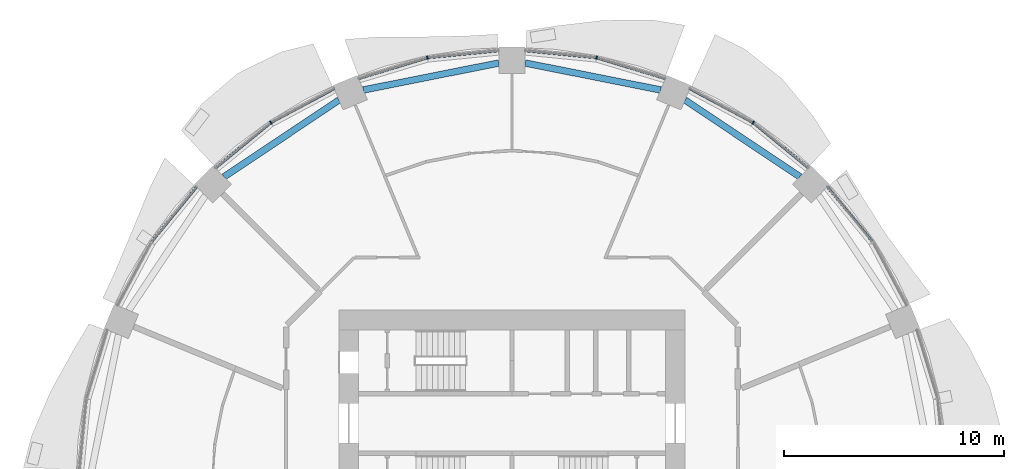
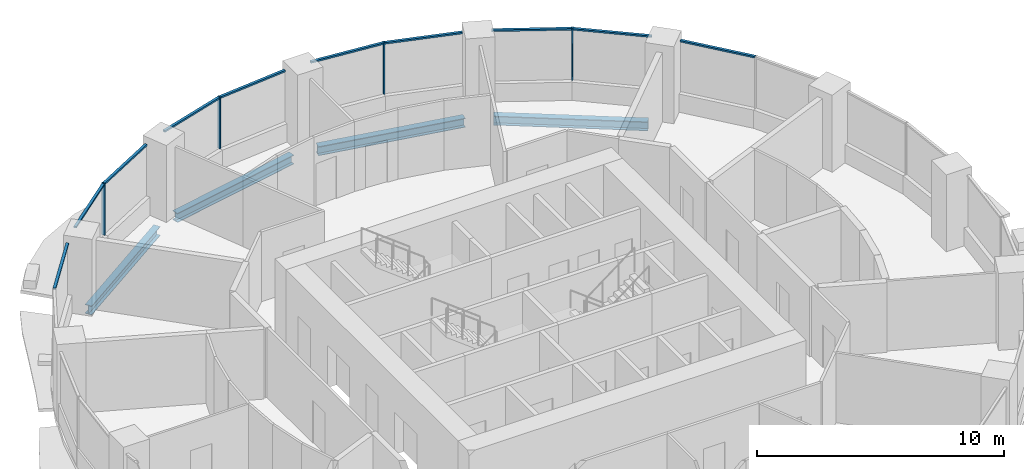
# One storey, part 6 of 15: 14 members, 4 beams, 6 elements without a shape of their own.
"""IFC4 building model written with IfcOpenShell, lengths in metres."""

from ifc_helpers import new_model, si_unit, direction, frame, origin, origin_2d, place, context, subcontext, project, spatial, rectangle, i_section, extrude, material, material_profile, profile_set, type_object, element, aggregate, save


model = new_model("IFC4")

# Units and contexts
model_context = context("Model", 3, precision=1e-05, world=origin(), true_north=direction((0.0, 1.0)))
body_context = subcontext(model_context, "Body", "Model", "MODEL_VIEW")
ifc_project = project(units=[si_unit("LENGTHUNIT", "METRE"), si_unit("AREAUNIT", "SQUARE_METRE"), si_unit("VOLUMEUNIT", "CUBIC_METRE"), si_unit("PLANEANGLEUNIT", "RADIAN"), si_unit("MASSUNIT", "GRAM", prefix="KILO")], contexts=[model_context])

# Site, building, storey
site_placement = place(None, origin())
site = spatial("IfcSite", under=ifc_project, at=site_placement, CompositionType="ELEMENT")
building_placement = place(site_placement, origin())
building = spatial("IfcBuilding", under=site, at=building_placement, Name="Polderwave Tower", CompositionType="ELEMENT")
storey_placement = place(building_placement, frame((0.0, 0.0, 22.39990234375)))
storey = spatial("IfcBuildingStorey", under=building, at=storey_placement, Name="L05", CompositionType="ELEMENT", Elevation=22.39990234375)

# Curtain wall, member
ifc_material_1 = material(Name="Aluminium 6063-T6 and glass", Category="aluminium")
curtain_wall_type = type_object("IfcCurtainWallType", Name="Growing floor ribbon glazing wall", PredefinedType="NOTDEFINED", material=ifc_material_1)
curtain_wall_1_placement = place(storey_placement, origin())
curtain_wall_1 = element("IfcCurtainWall", 1, at=curtain_wall_1_placement, inside=storey, type_object=curtain_wall_type, Name="CW2 L05 02", PredefinedType="NOTDEFINED")
ifc_material_2 = material(Name="Aluminium 6063-T6", Category="aluminium")
ifc_material_profile_1 = material_profile(ifc_material_2, rectangle(XDim=0.14990234375, YDim=0.06005859375, at=origin_2d()), Name="AL 60x150")
ifc_profile_set_1 = profile_set([ifc_material_profile_1], Name="Aluminium 6063-T6")
member_type_1 = type_object("IfcMemberType", Name="Growing floor ribbon glazing mullion 60x150", PredefinedType="MULLION", material=ifc_profile_set_1)
member_1_placement = place(storey_placement, frame((10.9609375, 16.405029296875, 0.900146484375), z_axis=(0.0, 0.0, 1.0), x_axis=(-0.555547013791, -0.831485126426, 0.0)))
member_1 = element("IfcMember", 2, at=member_1_placement, type_object=member_type_1, Name="CW2 mullion 1", PredefinedType="MULLION", context=body_context, shape_type="SweptSolid", body=[
    extrude(rectangle(XDim=0.14990234375, YDim=0.06005859375, at=origin_2d()), origin(), (0.0, 0.0, 1.0), 2.550048828125),
])

curtain_wall_2_placement = place(storey_placement, origin())
curtain_wall_2 = element("IfcCurtainWall", 3, at=curtain_wall_2_placement, inside=storey, type_object=curtain_wall_type, Name="CW2 L05 03", PredefinedType="NOTDEFINED")
member_2_placement = place(storey_placement, frame((3.84912109375, 19.35107421875, 0.900146484375), z_axis=(0.0, 0.0, 1.0), x_axis=(-0.19513996377, -0.980775404738, 0.0)))
member_2 = element("IfcMember", 4, at=member_2_placement, type_object=member_type_1, Name="CW2 mullion 1", PredefinedType="MULLION", context=body_context, shape_type="SweptSolid", body=[
    extrude(rectangle(XDim=0.14990234375, YDim=0.06005859375, at=origin_2d()), origin(), (0.0, 0.0, 1.0), 2.550048828125),
])

curtain_wall_3_placement = place(storey_placement, origin())
curtain_wall_3 = element("IfcCurtainWall", 5, at=curtain_wall_3_placement, inside=storey, type_object=curtain_wall_type, Name="CW2 L05 04", PredefinedType="NOTDEFINED")
member_3_placement = place(storey_placement, frame((-3.84912109375, 19.35107421875, 0.900146484375), z_axis=(0.0, 0.0, 1.0), x_axis=(0.19513996377, -0.980775404738, 0.0)))
member_3 = element("IfcMember", 6, at=member_3_placement, type_object=member_type_1, Name="CW2 mullion 1", PredefinedType="MULLION", context=body_context, shape_type="SweptSolid", body=[
    extrude(rectangle(XDim=0.14990234375, YDim=0.06005859375, at=origin_2d()), origin(), (0.0, 0.0, 1.0), 2.550048828125),
])

curtain_wall_4_placement = place(storey_placement, origin())
curtain_wall_4 = element("IfcCurtainWall", 7, at=curtain_wall_4_placement, inside=storey, type_object=curtain_wall_type, Name="CW2 L05 05", PredefinedType="NOTDEFINED")
member_4_placement = place(storey_placement, frame((-10.9609375, 16.405029296875, 0.900146484375), z_axis=(0.0, 0.0, 1.0), x_axis=(0.555547013791, -0.831485126426, 0.0)))
member_4 = element("IfcMember", 8, at=member_4_placement, type_object=member_type_1, Name="CW2 mullion 1", PredefinedType="MULLION", context=body_context, shape_type="SweptSolid", body=[
    extrude(rectangle(XDim=0.14990234375, YDim=0.06005859375, at=origin_2d()), origin(), (0.0, 0.0, 1.0), 2.550048828125),
])

curtain_wall_5_placement = place(storey_placement, origin())
curtain_wall_5 = element("IfcCurtainWall", 9, at=curtain_wall_5_placement, inside=storey, type_object=curtain_wall_type, Name="CW2 L05 01", PredefinedType="NOTDEFINED")
ifc_material_profile_2 = material_profile(ifc_material_2, rectangle(XDim=0.1201171875, YDim=0.080078125, at=origin_2d()), Name="AL 80x120")
ifc_profile_set_2 = profile_set([ifc_material_profile_2], Name="Aluminium 6063-T6")
member_type_2 = type_object("IfcMemberType", Name="Growing floor ribbon glazing transom 80x120", PredefinedType="USERDEFINED", material=ifc_profile_set_2)
member_5_placement = place(storey_placement, frame((16.385986328125, 10.984130859375, 3.41015625), z_axis=(-0.63430157743, 0.773085706031, 0.0), x_axis=(-0.773085706031, -0.63430157743, 0.0)))
member_5 = element("IfcMember", 10, at=member_5_placement, type_object=member_type_2, Name="CW2 transom 2", ObjectType="TRANSOM", PredefinedType="USERDEFINED", context=body_context, shape_type="SweptSolid", body=[
    extrude(rectangle(XDim=0.1201171875, YDim=0.080078125, at=origin_2d()), origin(), (0.0, 0.0, 1.0), 3.235107421875),
])
aggregate(curtain_wall_5, [member_5])

# Member
member_6_placement = place(storey_placement, frame((13.485107421875, 14.333984375, 3.41015625), z_axis=(-0.773085706031, 0.63430157743, 0.0), x_axis=(-0.63430157743, -0.773085706031, 0.0)))
member_6 = element("IfcMember", 11, at=member_6_placement, type_object=member_type_2, Name="CW2 transom 1", ObjectType="TRANSOM", PredefinedType="USERDEFINED", context=body_context, shape_type="SweptSolid", body=[
    extrude(rectangle(XDim=0.1201171875, YDim=0.080078125, at=origin_2d()), origin(), (0.0, 0.0, 1.0), 3.235107421875),
])

member_7_placement = place(storey_placement, frame((10.9345703125, 16.419189453125, 3.41015625), z_axis=(-0.881897041923, 0.471442050997, 0.0), x_axis=(-0.471442050997, -0.881897041923, 0.0)))
member_7 = element("IfcMember", 12, at=member_7_placement, type_object=member_type_2, Name="CW2 transom 2", ObjectType="TRANSOM", PredefinedType="USERDEFINED", context=body_context, shape_type="SweptSolid", body=[
    extrude(rectangle(XDim=0.1201171875, YDim=0.080078125, at=origin_2d()), origin(), (0.0, 0.0, 1.0), 3.234619140625),
])

aggregate(curtain_wall_1, [member_1, member_6, member_7])

member_8_placement = place(storey_placement, frame((6.972900390625, 18.403076171875, 3.41015625), z_axis=(-0.956915785542, 0.29036559607, 0.0), x_axis=(-0.29036559607, -0.956915785542, 0.0)))
member_8 = element("IfcMember", 13, at=member_8_placement, type_object=member_type_2, Name="CW2 transom 1", ObjectType="TRANSOM", PredefinedType="USERDEFINED", context=body_context, shape_type="SweptSolid", body=[
    extrude(rectangle(XDim=0.1201171875, YDim=0.080078125, at=origin_2d()), origin(), (0.0, 0.0, 1.0), 3.234619140625),
])

member_9_placement = place(storey_placement, frame((3.819091796875, 19.35400390625, 3.41015625), z_axis=(-0.995189210583, 0.097971603742, 0.0), x_axis=(-0.097971603742, -0.995189210583, 0.0)))
member_9 = element("IfcMember", 14, at=member_9_placement, type_object=member_type_2, Name="CW2 transom 2", ObjectType="TRANSOM", PredefinedType="USERDEFINED", context=body_context, shape_type="SweptSolid", body=[
    extrude(rectangle(XDim=0.1201171875, YDim=0.080078125, at=origin_2d()), origin(), (0.0, 0.0, 1.0), 3.234619140625),
])

aggregate(curtain_wall_2, [member_2, member_8, member_9])

member_10_placement = place(storey_placement, frame((-0.60009765625, 19.6708984375, 3.41015625), z_axis=(-0.995189210583, -0.097971603742, 0.0), x_axis=(0.097971603742, -0.995189210583, 0.0)))
member_10 = element("IfcMember", 15, at=member_10_placement, type_object=member_type_2, Name="CW2 transom 1", ObjectType="TRANSOM", PredefinedType="USERDEFINED", context=body_context, shape_type="SweptSolid", body=[
    extrude(rectangle(XDim=0.1201171875, YDim=0.080078125, at=origin_2d()), origin(), (0.0, 0.0, 1.0), 3.234619140625),
])

member_11_placement = place(storey_placement, frame((-3.877685546875, 19.34228515625, 3.41015625), z_axis=(-0.956915785542, -0.29036559607, 0.0), x_axis=(0.29036559607, -0.956915785542, 0.0)))
member_11 = element("IfcMember", 16, at=member_11_placement, type_object=member_type_2, Name="CW2 transom 2", ObjectType="TRANSOM", PredefinedType="USERDEFINED", context=body_context, shape_type="SweptSolid", body=[
    extrude(rectangle(XDim=0.1201171875, YDim=0.080078125, at=origin_2d()), origin(), (0.0, 0.0, 1.0), 3.234619140625),
])

aggregate(curtain_wall_3, [member_3, member_10, member_11])

member_12_placement = place(storey_placement, frame((-8.08203125, 17.944091796875, 3.41015625), z_axis=(-0.881897041923, -0.471442050997, 0.0), x_axis=(0.471442050997, -0.881897041923, 0.0)))
member_12 = element("IfcMember", 17, at=member_12_placement, type_object=member_type_2, Name="CW2 transom 1", ObjectType="TRANSOM", PredefinedType="USERDEFINED", context=body_context, shape_type="SweptSolid", body=[
    extrude(rectangle(XDim=0.1201171875, YDim=0.080078125, at=origin_2d()), origin(), (0.0, 0.0, 1.0), 3.234619140625),
])

member_13_placement = place(storey_placement, frame((-10.984130859375, 16.385986328125, 3.41015625), z_axis=(-0.773085706031, -0.63430157743, 0.0), x_axis=(0.63430157743, -0.773085706031, 0.0)))
member_13 = element("IfcMember", 18, at=member_13_placement, type_object=member_type_2, Name="CW2 transom 2", ObjectType="TRANSOM", PredefinedType="USERDEFINED", context=body_context, shape_type="SweptSolid", body=[
    extrude(rectangle(XDim=0.1201171875, YDim=0.080078125, at=origin_2d()), origin(), (0.0, 0.0, 1.0), 3.235107421875),
])

aggregate(curtain_wall_4, [member_4, member_12, member_13])

# Curtain wall, member
curtain_wall_6_placement = place(storey_placement, origin())
curtain_wall_6 = element("IfcCurtainWall", 19, at=curtain_wall_6_placement, inside=storey, type_object=curtain_wall_type, Name="CW2 L05 06", PredefinedType="NOTDEFINED")
member_14_placement = place(storey_placement, frame((-14.333984375, 13.485107421875, 3.41015625), z_axis=(-0.63430157743, -0.773085706031, 0.0), x_axis=(0.773085706031, -0.63430157743, 0.0)))
member_14 = element("IfcMember", 20, at=member_14_placement, type_object=member_type_2, Name="CW2 transom 1", ObjectType="TRANSOM", PredefinedType="USERDEFINED", context=body_context, shape_type="SweptSolid", body=[
    extrude(rectangle(XDim=0.1201171875, YDim=0.080078125, at=origin_2d()), origin(), (0.0, 0.0, 1.0), 3.235107421875),
])
aggregate(curtain_wall_6, [member_14])

# Beams
ifc_material_3 = material(Name="Steel S355", Category="steel")
ifc_material_profile_3 = material_profile(ifc_material_3, i_section(OverallWidth=0.300048828125, OverallDepth=0.449951171875, WebThickness=0.013916015625, FlangeThickness=0.02587890625, at=origin_2d()), Name="HE 450 B")
ifc_profile_set_3 = profile_set([ifc_material_profile_3], Name="Steel S355")
beam_type = type_object("IfcBeamType", Name="RING BEAM HE 450 B", PredefinedType="BEAM", material=ifc_profile_set_3)
beam_1_placement = place(storey_placement, frame((13.089111328125, 13.9375, -0.574951171875), z_axis=(-0.831475656021, 0.55556118785, 0.0), x_axis=(-0.55556118785, -0.831475656021, 0.0)))
element("IfcBeam", 21, at=beam_1_placement, inside=storey, type_object=beam_type, Name="ST-RB-L05-02", PredefinedType="BEAM", context=body_context, shape_type="SweptSolid", body=[
    extrude(i_section(OverallWidth=0.300048828125, OverallDepth=0.449951171875, WebThickness=0.013916015625, FlangeThickness=0.02587890625, at=origin_2d()), origin(), (0.0, 0.0, 1.0), 6.27978515625),
])
for number, where, z_axis, x_axis, name in (
    (22, (6.759033203125, 17.885498046875, -0.574951171875), (-0.980784999889, 0.195091732249, 0.0), (-0.195091732249, -0.980784999889, 0.0), "ST-RB-L05-03"),
    (23, (-0.60009765625, 19.110595703125, -0.574951171875), (-0.980784999889, -0.195091732249, 0.0), (0.195091732249, -0.980784999889, 0.0), "ST-RB-L05-04"),
):
    element("IfcBeam", number, at=place(storey_placement, frame(where, z_axis=z_axis, x_axis=x_axis)), inside=storey, type_object=beam_type, Name=name, PredefinedType="BEAM", context=body_context, shape_type="SweptSolid", body=[
        extrude(i_section(OverallWidth=0.300048828125, OverallDepth=0.449951171875, WebThickness=0.013916015625, FlangeThickness=0.02587890625, at=origin_2d()), origin(), (0.0, 0.0, 1.0), 6.279541015625),
    ])
beam_2_placement = place(storey_placement, frame((-7.86767578125, 17.42626953125, -0.574951171875), z_axis=(-0.831475656021, -0.55556118785, 0.0), x_axis=(0.55556118785, -0.831475656021, 0.0)))
element("IfcBeam", 24, at=beam_2_placement, inside=storey, type_object=beam_type, Name="ST-RB-L05-05", PredefinedType="BEAM", context=body_context, shape_type="SweptSolid", body=[
    extrude(i_section(OverallWidth=0.300048828125, OverallDepth=0.449951171875, WebThickness=0.013916015625, FlangeThickness=0.02587890625, at=origin_2d()), origin(), (0.0, 0.0, 1.0), 6.27978515625),
])

save(model, "model.ifc")
